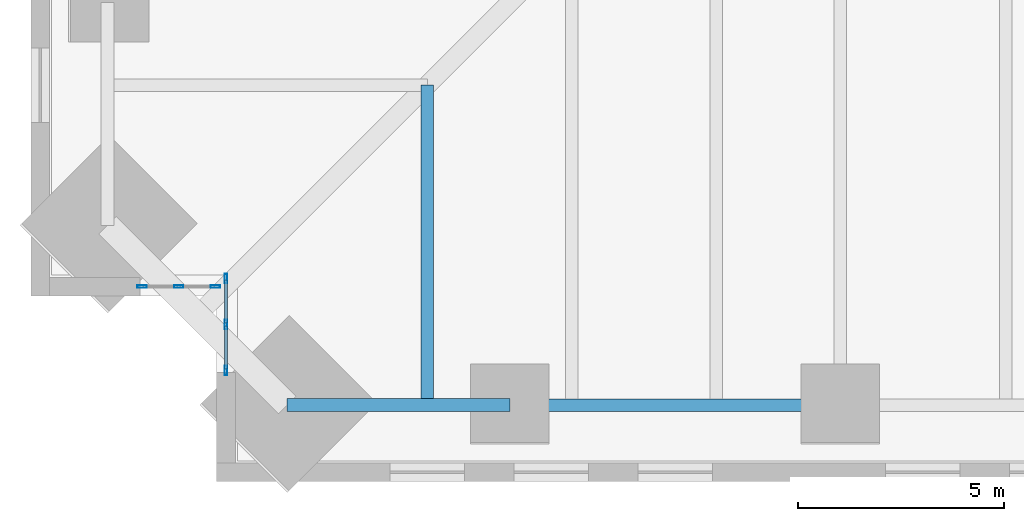
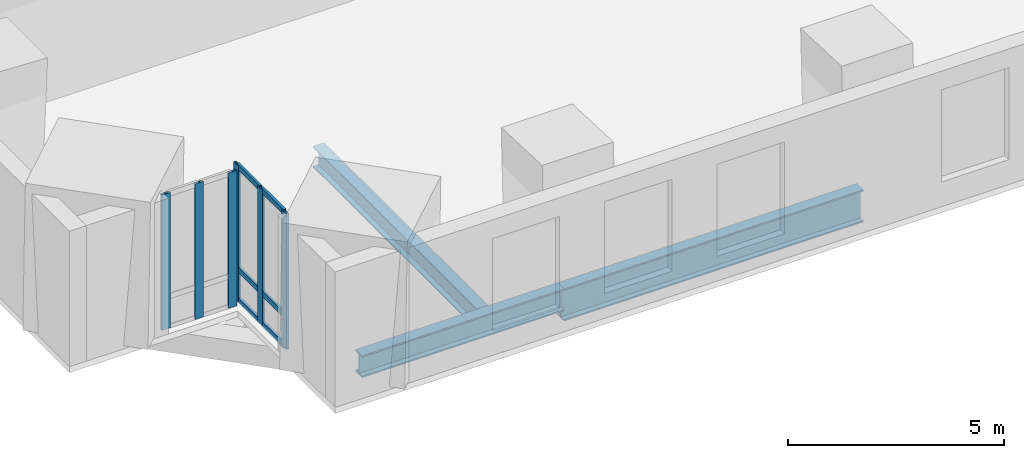
# One storey, part 2 of 16: 12 members, 3 beams, 2 elements without a shape of their own.
"""IFC4 building model written with IfcOpenShell, lengths in metres."""

from ifc_helpers import new_model, si_unit, direction, frame, origin, origin_2d, place, context, subcontext, project, spatial, hollow_rectangle, i_section, extrude, material, material_profile, profile_set, type_object, element, aggregate, save


model = new_model("IFC4")

# Units and contexts
model_context = context("Model", 3, precision=1e-05, world=origin(), true_north=direction((0.0, 1.0)))
body_context = subcontext(model_context, "Body", "Model", "MODEL_VIEW")
ifc_project = project(units=[si_unit("LENGTHUNIT", "METRE"), si_unit("AREAUNIT", "SQUARE_METRE"), si_unit("VOLUMEUNIT", "CUBIC_METRE"), si_unit("PLANEANGLEUNIT", "RADIAN"), si_unit("MASSUNIT", "GRAM", prefix="KILO")], contexts=[model_context])

# Site, building, storey
site_placement = place(None, origin())
site = spatial("IfcSite", under=ifc_project, at=site_placement, CompositionType="ELEMENT")
building_placement = place(site_placement, origin())
building = spatial("IfcBuilding", under=site, at=building_placement, Name="Peilmerk Tower", CompositionType="ELEMENT")
storey_placement = place(building_placement, frame((0.0, 0.0, 127.800048828125)))
storey = spatial("IfcBuildingStorey", under=building, at=storey_placement, Name="L25", CompositionType="ELEMENT", Elevation=127.800048828125)

# Beams
ifc_material_1 = material(Name="Steel S355", Category="steel")
ifc_material_profile_1 = material_profile(ifc_material_1, i_section(OverallWidth=0.302001953125, OverallDepth=0.909912109375, WebThickness=0.02099609375, FlangeThickness=0.0400390625, at=origin_2d()), Name="HEM 900")
ifc_profile_set_1 = profile_set([ifc_material_profile_1], Name="Steel S355")
beam_type_1 = type_object("IfcBeamType", Name="B2 HEM 900 edge beam", PredefinedType="SPANDREL", material=ifc_profile_set_1)
beam_1_placement = place(storey_placement, frame((-16.0, -25.74365234375, -0.625), z_axis=(1.0, 0.0, 0.0), x_axis=(0.0, 1.0, 0.0)))
element("IfcBeam", 1, at=beam_1_placement, inside=storey, type_object=beam_type_1, Name="Edge beam L25", PredefinedType="SPANDREL", context=body_context, shape_type="SweptSolid", body=[
    extrude(i_section(OverallWidth=0.302001953125, OverallDepth=0.909912109375, WebThickness=0.02099609375, FlangeThickness=0.0400390625, at=origin_2d()), origin(), (0.0, 0.0, 1.0), 8.0),
])
ifc_material_profile_2 = material_profile(ifc_material_1, i_section(OverallWidth=0.300048828125, OverallDepth=0.590087890625, WebThickness=0.012939453125, FlangeThickness=0.02490234375, at=origin_2d()), Name="HEA 600")
ifc_profile_set_2 = profile_set([ifc_material_profile_2], Name="Steel S355")
beam_type_2 = type_object("IfcBeamType", Name="B27 HEA 600 floor beam", PredefinedType="BEAM", material=ifc_profile_set_2)
beam_2_placement = place(storey_placement, frame((-18.0, -18.0, -0.465087890625), z_axis=(0.0, -1.0, 0.0), x_axis=(1.0, 0.0, 0.0)))
element("IfcBeam", 2, at=beam_2_placement, inside=storey, type_object=beam_type_2, Name="Floor beam L25", PredefinedType="BEAM", context=body_context, shape_type="SweptSolid", body=[
    extrude(i_section(OverallWidth=0.300048828125, OverallDepth=0.590087890625, WebThickness=0.012939453125, FlangeThickness=0.02490234375, at=origin_2d()), origin(), (0.0, 0.0, 1.0), 7.74365234375),
])
ifc_material_profile_3 = material_profile(ifc_material_1, i_section(OverallWidth=0.304931640625, OverallDepth=0.6201171875, WebThickness=0.02099609375, FlangeThickness=0.0400390625, at=origin_2d()), Name="HEM 600")
ifc_profile_set_3 = profile_set([ifc_material_profile_3], Name="Steel S355")
beam_type_3 = type_object("IfcBeamType", Name="B31 HEM 600 edge beam", PredefinedType="SPANDREL", material=ifc_profile_set_3)
beam_3_placement = place(storey_placement, frame((-21.3935546875, -25.74365234375, -0.47998046875), z_axis=(1.0, 0.0, 0.0), x_axis=(0.0, 1.0, 0.0)))
element("IfcBeam", 3, at=beam_3_placement, inside=storey, type_object=beam_type_3, Name="Edge beam L25", PredefinedType="SPANDREL", context=body_context, shape_type="SweptSolid", body=[
    extrude(i_section(OverallWidth=0.304931640625, OverallDepth=0.6201171875, WebThickness=0.02099609375, FlangeThickness=0.0400390625, at=origin_2d()), origin(), (0.0, 0.0, 1.0), 5.3935546875),
])

# Curtain wall, members
ifc_material_2 = material(Name="Aluminium stick curtain wall", Category="aluminium")
curtain_wall_type = type_object("IfcCurtainWallType", Name="CW3 stick curtain wall, 2250 module", PredefinedType="NOTDEFINED", material=ifc_material_2)
curtain_wall_1_placement = place(storey_placement, origin())
curtain_wall_1 = element("IfcCurtainWall", 4, at=curtain_wall_1_placement, inside=storey, type_object=curtain_wall_type, Name="Curtain wall CW3 SWA L25", PredefinedType="NOTDEFINED")
ifc_material_3 = material(Name="Aluminium EN AW-6063 T6", Category="aluminium")
ifc_material_profile_4 = material_profile(ifc_material_3, hollow_rectangle(XDim=0.06494140625, YDim=0.22509765625, WallThickness=0.00390625, at=origin_2d()), Name="AL 225x65x4")
ifc_profile_set_4 = profile_set([ifc_material_profile_4], Name="Aluminium EN AW-6063 T6")
member_type_1 = type_object("IfcMemberType", Name="CW3-M AL 225x65x4 mullion", PredefinedType="MULLION", material=ifc_profile_set_4)
member_1_placement = place(storey_placement, frame((-22.875, -22.6826171875, 0.0), z_axis=(0.0, 0.0, 1.0), x_axis=(1.0, 0.0, 0.0)))
member_1 = element("IfcMember", 5, at=member_1_placement, type_object=member_type_1, Name="CW3 mullion 1", PredefinedType="MULLION", context=body_context, shape_type="SweptSolid", body=[
    extrude(hollow_rectangle(XDim=0.06494140625, YDim=0.22509765625, WallThickness=0.00390625, at=origin_2d()), origin(), (0.0, 0.0, 1.0), 3.829833984375),
])
member_2_placement = place(storey_placement, frame((-22.875, -23.79443359375, 0.0), z_axis=(0.0, 0.0, 1.0), x_axis=(1.0, 0.0, 0.0)))
member_2 = element("IfcMember", 6, at=member_2_placement, type_object=member_type_1, Name="CW3 mullion 2", PredefinedType="MULLION", context=body_context, shape_type="SweptSolid", body=[
    extrude(hollow_rectangle(XDim=0.06494140625, YDim=0.22509765625, WallThickness=0.00390625, at=origin_2d()), origin(), (0.0, 0.0, 1.0), 3.829833984375),
])
member_3_placement = place(storey_placement, frame((-22.875, -24.90625, 0.0), z_axis=(0.0, 0.0, 1.0), x_axis=(1.0, 0.0, 0.0)))
member_3 = element("IfcMember", 7, at=member_3_placement, type_object=member_type_1, Name="CW3 mullion 3", PredefinedType="MULLION", context=body_context, shape_type="SweptSolid", body=[
    extrude(hollow_rectangle(XDim=0.06494140625, YDim=0.22509765625, WallThickness=0.00390625, at=origin_2d()), origin(), (0.0, 0.0, 1.0), 3.829833984375),
])

curtain_wall_2_placement = place(storey_placement, origin())
curtain_wall_2 = element("IfcCurtainWall", 8, at=curtain_wall_2_placement, inside=storey, type_object=curtain_wall_type, Name="Curtain wall CW3 SWB L25", PredefinedType="NOTDEFINED")
member_4_placement = place(storey_placement, frame((-23.132568359375, -22.875, 0.0), z_axis=(0.0, 0.0, 1.0), x_axis=(0.0, -1.0, 0.0)))
member_4 = element("IfcMember", 9, at=member_4_placement, type_object=member_type_1, Name="CW3 mullion 1", PredefinedType="MULLION", context=body_context, shape_type="SweptSolid", body=[
    extrude(hollow_rectangle(XDim=0.06494140625, YDim=0.22509765625, WallThickness=0.00390625, at=origin_2d()), origin(), (0.0, 0.0, 1.0), 3.829833984375),
])
member_5_placement = place(storey_placement, frame((-24.019287109375, -22.875, 0.0), z_axis=(0.0, 0.0, 1.0), x_axis=(0.0, -1.0, 0.0)))
member_5 = element("IfcMember", 10, at=member_5_placement, type_object=member_type_1, Name="CW3 mullion 2", PredefinedType="MULLION", context=body_context, shape_type="SweptSolid", body=[
    extrude(hollow_rectangle(XDim=0.06494140625, YDim=0.22509765625, WallThickness=0.00390625, at=origin_2d()), origin(), (0.0, 0.0, 1.0), 3.829833984375),
])
member_6_placement = place(storey_placement, frame((-24.90625, -22.875, 0.0), z_axis=(0.0, 0.0, 1.0), x_axis=(0.0, -1.0, 0.0)))
member_6 = element("IfcMember", 11, at=member_6_placement, type_object=member_type_1, Name="CW3 mullion 3", PredefinedType="MULLION", context=body_context, shape_type="SweptSolid", body=[
    extrude(hollow_rectangle(XDim=0.06494140625, YDim=0.22509765625, WallThickness=0.00390625, at=origin_2d()), origin(), (0.0, 0.0, 1.0), 3.829833984375),
])
aggregate(curtain_wall_2, [member_4, member_5, member_6])

# Member
ifc_material_profile_5 = material_profile(ifc_material_3, hollow_rectangle(XDim=0.06494140625, YDim=0.14990234375, WallThickness=0.0029296875, at=origin_2d()), Name="AL 150x65x3")
ifc_profile_set_5 = profile_set([ifc_material_profile_5], Name="Aluminium EN AW-6063 T6")
member_type_2 = type_object("IfcMemberType", Name="CW3-T AL 150x65x3 transom", PredefinedType="USERDEFINED", material=ifc_profile_set_5)
member_7_placement = place(storey_placement, frame((-22.875, -22.715087890625, 0.032470703125), z_axis=(0.0, -1.0, 0.0), x_axis=(1.0, 0.0, 0.0)))
member_7 = element("IfcMember", 12, at=member_7_placement, type_object=member_type_2, Name="CW3 transom 1.1", ObjectType="TRANSOM", PredefinedType="USERDEFINED", context=body_context, shape_type="SweptSolid", body=[
    extrude(hollow_rectangle(XDim=0.06494140625, YDim=0.14990234375, WallThickness=0.0029296875, at=origin_2d()), origin(), (0.0, 0.0, 1.0), 1.046630859375),
])

member_8_placement = place(storey_placement, frame((-22.875, -22.715087890625, 0.89990234375), z_axis=(0.0, -1.0, 0.0), x_axis=(1.0, 0.0, 0.0)))
member_8 = element("IfcMember", 13, at=member_8_placement, type_object=member_type_2, Name="CW3 transom 1.2", ObjectType="TRANSOM", PredefinedType="USERDEFINED", context=body_context, shape_type="SweptSolid", body=[
    extrude(hollow_rectangle(XDim=0.06494140625, YDim=0.14990234375, WallThickness=0.0029296875, at=origin_2d()), origin(), (0.0, 0.0, 1.0), 1.046630859375),
])

member_9_placement = place(storey_placement, frame((-22.875, -22.715087890625, 3.79736328125), z_axis=(0.0, -1.0, 0.0), x_axis=(1.0, 0.0, 0.0)))
member_9 = element("IfcMember", 14, at=member_9_placement, type_object=member_type_2, Name="CW3 transom 1.3", ObjectType="TRANSOM", PredefinedType="USERDEFINED", context=body_context, shape_type="SweptSolid", body=[
    extrude(hollow_rectangle(XDim=0.06494140625, YDim=0.14990234375, WallThickness=0.0029296875, at=origin_2d()), origin(), (0.0, 0.0, 1.0), 1.046630859375),
])

member_10_placement = place(storey_placement, frame((-22.875, -23.826904296875, 0.032470703125), z_axis=(0.0, -1.0, 0.0), x_axis=(1.0, 0.0, 0.0)))
member_10 = element("IfcMember", 15, at=member_10_placement, type_object=member_type_2, Name="CW3 transom 2.1", ObjectType="TRANSOM", PredefinedType="USERDEFINED", context=body_context, shape_type="SweptSolid", body=[
    extrude(hollow_rectangle(XDim=0.06494140625, YDim=0.14990234375, WallThickness=0.0029296875, at=origin_2d()), origin(), (0.0, 0.0, 1.0), 1.046875),
])

member_11_placement = place(storey_placement, frame((-22.875, -23.826904296875, 0.89990234375), z_axis=(0.0, -1.0, 0.0), x_axis=(1.0, 0.0, 0.0)))
member_11 = element("IfcMember", 16, at=member_11_placement, type_object=member_type_2, Name="CW3 transom 2.2", ObjectType="TRANSOM", PredefinedType="USERDEFINED", context=body_context, shape_type="SweptSolid", body=[
    extrude(hollow_rectangle(XDim=0.06494140625, YDim=0.14990234375, WallThickness=0.0029296875, at=origin_2d()), origin(), (0.0, 0.0, 1.0), 1.046875),
])

member_12_placement = place(storey_placement, frame((-22.875, -23.826904296875, 3.79736328125), z_axis=(0.0, -1.0, 0.0), x_axis=(1.0, 0.0, 0.0)))
member_12 = element("IfcMember", 17, at=member_12_placement, type_object=member_type_2, Name="CW3 transom 2.3", ObjectType="TRANSOM", PredefinedType="USERDEFINED", context=body_context, shape_type="SweptSolid", body=[
    extrude(hollow_rectangle(XDim=0.06494140625, YDim=0.14990234375, WallThickness=0.0029296875, at=origin_2d()), origin(), (0.0, 0.0, 1.0), 1.046875),
])

aggregate(curtain_wall_1, [member_1, member_2, member_3, member_7, member_8, member_9, member_10, member_11, member_12])

save(model, "model.ifc")
